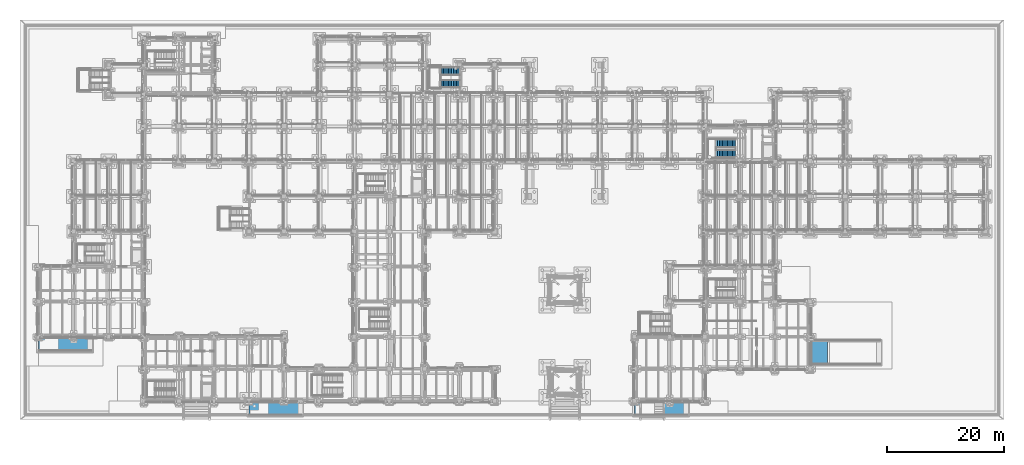
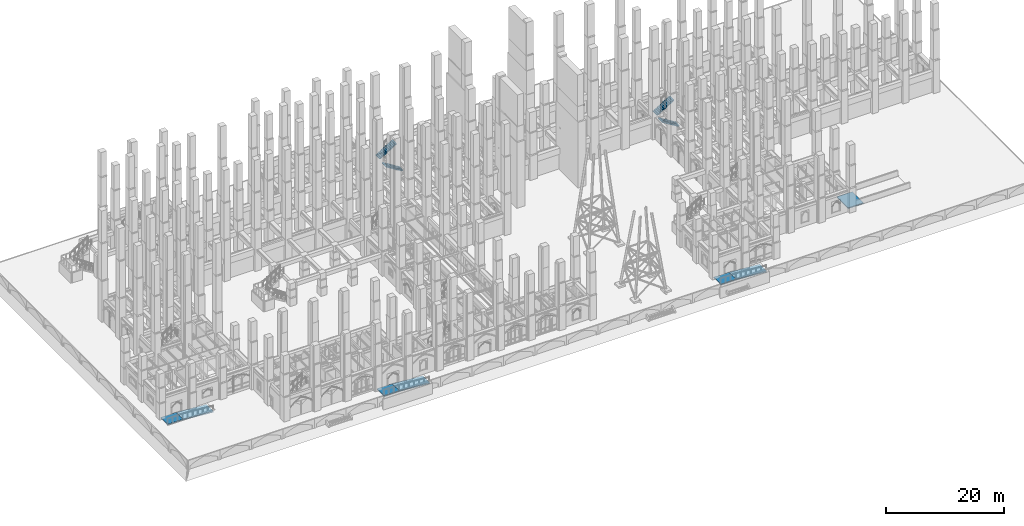
# One storey, part 70 of 135: 7 ramp flights, 4 stair flights, 6 elements without a shape of their own.
"""IFC4 building model written with IfcOpenShell, lengths in metres."""

from ifc_helpers import new_model, si_unit, direction, frame, origin, origin_2d, place, context, subcontext, project, spatial, polyline, rectangle, outline, extrude, material, type_object, element, aggregate, save


model = new_model("IFC4")

# Units and contexts
model_context = context("Model", 3, precision=1e-05, world=origin(), true_north=direction((0.0, 1.0)))
body_context = subcontext(model_context, "Body", "Model", "MODEL_VIEW")
ifc_project = project(units=[si_unit("LENGTHUNIT", "METRE"), si_unit("AREAUNIT", "SQUARE_METRE"), si_unit("VOLUMEUNIT", "CUBIC_METRE"), si_unit("PLANEANGLEUNIT", "RADIAN"), si_unit("MASSUNIT", "GRAM", prefix="KILO")], contexts=[model_context])

# Site, building, storey
site_placement = place(None, origin())
site = spatial("IfcSite", under=ifc_project, at=site_placement, CompositionType="ELEMENT")
building_placement = place(site_placement, origin())
building = spatial("IfcBuilding", under=site, at=building_placement, Name="Cumevento Cable Car Station", CompositionType="ELEMENT")
storey_placement = place(building_placement, origin())
storey = spatial("IfcBuildingStorey", under=building, at=storey_placement, Name="L01", CompositionType="ELEMENT", Elevation=0.0)

# Stair, stair flights
ifc_material_1 = material(Name="Concrete C40/50", Category="concrete")
stair_type_1 = type_object("IfcStairType", Name="Half-Turn Stair ST-T04 1350", PredefinedType="HALF_TURN_STAIR", material=ifc_material_1)
stair_1_placement = place(storey_placement, origin())
stair_1 = element("IfcStair", 1, at=stair_1_placement, inside=storey, type_object=stair_type_1, Name="NE Hillside Station Plinth Stone Stair L01-L02", PredefinedType="HALF_TURN_STAIR")
ifc_material_2 = material(Name="Concrete C40/50", Category="concrete")
stair_flight_type_1 = type_object("IfcStairFlightType", Name="Stair Flight STF-T04 1350", PredefinedType="STRAIGHT", material=ifc_material_2)
stair_flight_1_placement = place(storey_placement, frame((76.080078125, 58.264892578125, 0.0), z_axis=(0.0, 0.0, 1.0), x_axis=(-1.0, 0.0, 0.0)))
stair_flight_1 = element("IfcStairFlight", 2, at=stair_flight_1_placement, type_object=stair_flight_type_1, Name="ST-17 Flight 1", NumberOfRisers=13, NumberOfTreads=12, PredefinedType="STRAIGHT", RiserHeight=0.173076923, TreadLength=0.28, context=body_context, shape_type="SweptSolid", body=[
    extrude(outline(polyline([(0.0, 0.0), (0.0, 0.173095703125), (0.280029296875, 0.173095703125), (0.280029296875, 0.34619140625), (0.56005859375, 0.34619140625), (0.56005859375, 0.519287109375), (0.840087890625, 0.519287109375), (0.840087890625, 0.6923828125), (1.1201171875, 0.6923828125), (1.1201171875, 0.865478515625), (1.39990234375, 0.865478515625), (1.39990234375, 1.03857421875), (1.679931640625, 1.03857421875), (1.679931640625, 1.21142578125), (1.9599609375, 1.21142578125), (1.9599609375, 1.384521484375), (2.239990234375, 1.384521484375), (2.239990234375, 1.5576171875), (2.52001953125, 1.5576171875), (2.52001953125, 1.730712890625), (2.800048828125, 1.730712890625), (2.800048828125, 1.90380859375), (3.080078125, 1.90380859375), (3.080078125, 2.076904296875), (3.360107421875, 2.076904296875), (3.360107421875, 2.25), (3.360107421875, 1.888916015625), (0.30419921875, 0.0), (0.0, 0.0)])), frame((0.0, 0.675048828125, 0.0), z_axis=(0.0, -1.0, 0.0), x_axis=(1.0, 0.0, 0.0)), (0.0, 0.0, 1.0), 1.35009765625),
])
stair_flight_2_placement = place(storey_placement, frame((72.719970703125, 60.43505859375, 2.25), z_axis=(0.0, 0.0, 1.0), x_axis=(1.0, 0.0, 0.0)))
stair_flight_2 = element("IfcStairFlight", 3, at=stair_flight_2_placement, type_object=stair_flight_type_1, Name="ST-17 Flight 2", NumberOfRisers=13, NumberOfTreads=12, PredefinedType="STRAIGHT", RiserHeight=0.173076923, TreadLength=0.28, context=body_context, shape_type="SweptSolid", body=[
    extrude(outline(polyline([(0.0, 0.0), (0.0, 0.173095703125), (0.280029296875, 0.173095703125), (0.280029296875, 0.34619140625), (0.56005859375, 0.34619140625), (0.56005859375, 0.519287109375), (0.840087890625, 0.519287109375), (0.840087890625, 0.6923828125), (1.1201171875, 0.6923828125), (1.1201171875, 0.865478515625), (1.39990234375, 0.865478515625), (1.39990234375, 1.03857421875), (1.679931640625, 1.03857421875), (1.679931640625, 1.21142578125), (1.9599609375, 1.21142578125), (1.9599609375, 1.384521484375), (2.239990234375, 1.384521484375), (2.239990234375, 1.5576171875), (2.52001953125, 1.5576171875), (2.52001953125, 1.730712890625), (2.800048828125, 1.730712890625), (2.800048828125, 1.90380859375), (3.080078125, 1.90380859375), (3.080078125, 2.076904296875), (3.360107421875, 2.076904296875), (3.360107421875, 2.25), (3.360107421875, 1.888916015625), (0.30419921875, 0.0), (0.0, 0.0)])), frame((0.0, 0.675048828125, 0.0), z_axis=(0.0, -1.0, 0.0), x_axis=(1.0, 0.0, 0.0)), (0.0, 0.0, 1.0), 1.35009765625),
])
aggregate(stair_1, [stair_flight_1, stair_flight_2])

ifc_material_3 = material(Name="Concrete C40/50", Category="concrete")
stair_type_2 = type_object("IfcStairType", Name="Half-Turn Stair ST-T06 1410", PredefinedType="HALF_TURN_STAIR", material=ifc_material_3)
stair_2_placement = place(storey_placement, origin())
stair_2 = element("IfcStair", 4, at=stair_2_placement, inside=storey, type_object=stair_type_2, Name="Enclosed Exit Stair ST-06 (L01 to L02)", PredefinedType="HALF_TURN_STAIR")
ifc_material_4 = material(Name="Concrete C40/50", Category="concrete")
stair_flight_type_2 = type_object("IfcStairFlightType", Name="Stair Flight STF-T06 1410", PredefinedType="STRAIGHT", material=ifc_material_4)
stair_flight_3_placement = place(storey_placement, frame((123.280029296875, 46.264892578125, 0.0), z_axis=(0.0, 0.0, 1.0), x_axis=(-1.0, 0.0, 0.0)))
stair_flight_3 = element("IfcStairFlight", 5, at=stair_flight_3_placement, type_object=stair_flight_type_2, Name="ST-06-L01 Flight 1", NumberOfRisers=13, NumberOfTreads=12, PredefinedType="STRAIGHT", RiserHeight=0.173076923, TreadLength=0.28, context=body_context, shape_type="SweptSolid", body=[
    extrude(outline(polyline([(0.0, 0.0), (0.0, 0.173095703125), (0.280029296875, 0.173095703125), (0.280029296875, 0.34619140625), (0.56005859375, 0.34619140625), (0.56005859375, 0.519287109375), (0.840087890625, 0.519287109375), (0.840087890625, 0.6923828125), (1.1201171875, 0.6923828125), (1.1201171875, 0.865478515625), (1.39990234375, 0.865478515625), (1.39990234375, 1.03857421875), (1.679931640625, 1.03857421875), (1.679931640625, 1.21142578125), (1.9599609375, 1.21142578125), (1.9599609375, 1.384521484375), (2.239990234375, 1.384521484375), (2.239990234375, 1.5576171875), (2.52001953125, 1.5576171875), (2.52001953125, 1.730712890625), (2.800048828125, 1.730712890625), (2.800048828125, 1.90380859375), (3.080078125, 1.90380859375), (3.080078125, 2.076904296875), (3.360107421875, 2.076904296875), (3.360107421875, 2.25), (3.360107421875, 1.888916015625), (0.30419921875, 0.0), (0.0, 0.0)])), frame((0.0, 0.705078125, 0.0), z_axis=(0.0, -1.0, 0.0), x_axis=(1.0, 0.0, 0.0)), (0.0, 0.0, 1.0), 1.409912109375),
])
stair_flight_4_placement = place(storey_placement, frame((119.919921875, 48.10498046875, 2.25), z_axis=(0.0, 0.0, 1.0), x_axis=(1.0, 0.0, 0.0)))
stair_flight_4 = element("IfcStairFlight", 6, at=stair_flight_4_placement, type_object=stair_flight_type_2, Name="ST-06-L01 Flight 2", NumberOfRisers=13, NumberOfTreads=12, PredefinedType="STRAIGHT", RiserHeight=0.173076923, TreadLength=0.28, context=body_context, shape_type="SweptSolid", body=[
    extrude(outline(polyline([(0.0, 0.0), (0.0, 0.173095703125), (0.280029296875, 0.173095703125), (0.280029296875, 0.34619140625), (0.56005859375, 0.34619140625), (0.56005859375, 0.519287109375), (0.840087890625, 0.519287109375), (0.840087890625, 0.6923828125), (1.1201171875, 0.6923828125), (1.1201171875, 0.865478515625), (1.39990234375, 0.865478515625), (1.39990234375, 1.03857421875), (1.679931640625, 1.03857421875), (1.679931640625, 1.21142578125), (1.9599609375, 1.21142578125), (1.9599609375, 1.384521484375), (2.239990234375, 1.384521484375), (2.239990234375, 1.5576171875), (2.52001953125, 1.5576171875), (2.52001953125, 1.730712890625), (2.800048828125, 1.730712890625), (2.800048828125, 1.90380859375), (3.080078125, 1.90380859375), (3.080078125, 2.076904296875), (3.360107421875, 2.076904296875), (3.360107421875, 2.25), (3.360107421875, 1.888916015625), (0.30419921875, 0.0), (0.0, 0.0)])), frame((0.0, 0.705078125, 0.0), z_axis=(0.0, -1.0, 0.0), x_axis=(1.0, 0.0, 0.0)), (0.0, 0.0, 1.0), 1.409912109375),
])
aggregate(stair_2, [stair_flight_3, stair_flight_4])

# Ramp, ramp flight
ifc_material_5 = material(Name="Concrete C40/50", Category="concrete")
ramp_type = type_object("IfcRampType", Name="Concrete Ramp RP-TYP", PredefinedType="STRAIGHT_RUN_RAMP", material=ifc_material_5)
ramp_1_placement = place(storey_placement, origin())
ramp_1 = element("IfcRamp", 7, at=ramp_1_placement, inside=storey, type_object=ramp_type, Name="Vehicle Service Ramp RP-01", PredefinedType="STRAIGHT_RUN_RAMP")
ifc_material_6 = material(Name="Concrete C40/50", Category="concrete")
ramp_flight_type = type_object("IfcRampFlightType", Name="Concrete Ramp Flight RPF-TYP", PredefinedType="STRAIGHT", material=ifc_material_6)
ramp_flight_1_placement = place(storey_placement, frame((137.5, 12.25, -0.219970703125), z_axis=(0.0, 0.0, 1.0), x_axis=(1.0, 0.0, 0.0)))
ramp_flight_1 = element("IfcRampFlight", 8, at=ramp_flight_1_placement, type_object=ramp_flight_type, Name="Vehicle Service Ramp RP-01 Top Landing", PredefinedType="STRAIGHT", context=body_context, shape_type="SweptSolid", body=[
    extrude(rectangle(XDim=3.0, YDim=3.8, at=origin_2d()), origin(), (0.0, 0.0, 1.0), 0.219970703125),
])
aggregate(ramp_1, [ramp_flight_1])

# Ramp, ramp flights
ramp_2_placement = place(storey_placement, origin())
ramp_2 = element("IfcRamp", 9, at=ramp_2_placement, inside=storey, type_object=ramp_type, Name="South Forecourt Accessible Entry Ramp RP-02", PredefinedType="STRAIGHT_RUN_RAMP")
ramp_flight_2_placement = place(storey_placement, frame((42.919921875, 2.800048828125, 0.0), z_axis=(0.0, 0.0, 1.0), x_axis=(1.0, 0.0, 0.0)))
ramp_flight_2 = element("IfcRampFlight", 10, at=ramp_flight_2_placement, type_object=ramp_flight_type, Name="South Forecourt Accessible Entry Ramp RP-02 Sloped Flight", PredefinedType="STRAIGHT", context=body_context, shape_type="SweptSolid", body=[
    extrude(outline(polyline([(0.0, 0.0), (6.080078125, -0.449951171875), (6.080078125, -0.669921875), (0.0, -0.219970703125), (0.0, 0.0)])), frame((0.0, 1.199951171875, 0.0), z_axis=(0.0, -1.0, 0.0), x_axis=(1.0, 0.0, 0.0)), (0.0, 0.0, 1.0), 2.39990234375),
])
ramp_flight_3_placement = place(storey_placement, frame((41.5, 2.800048828125, -0.219970703125), z_axis=(0.0, 0.0, 1.0), x_axis=(1.0, 0.0, 0.0)))
ramp_flight_3 = element("IfcRampFlight", 11, at=ramp_flight_3_placement, type_object=ramp_flight_type, Name="South Forecourt Accessible Entry Ramp RP-02 Top Landing", PredefinedType="STRAIGHT", context=body_context, shape_type="SweptSolid", body=[
    extrude(rectangle(XDim=3.0, YDim=2.4, at=origin_2d()), origin(), (0.0, 0.0, 1.0), 0.219970703125),
])
aggregate(ramp_2, [ramp_flight_2, ramp_flight_3])

ramp_3_placement = place(storey_placement, origin())
ramp_3 = element("IfcRamp", 12, at=ramp_3_placement, inside=storey, type_object=ramp_type, Name="East Arcade Accessible Entry Ramp RP-03", PredefinedType="STRAIGHT_RUN_RAMP")
ramp_flight_4_placement = place(storey_placement, frame((108.919921875, 2.800048828125, 0.0), z_axis=(0.0, 0.0, 1.0), x_axis=(1.0, 0.0, 0.0)))
ramp_flight_4 = element("IfcRampFlight", 13, at=ramp_flight_4_placement, type_object=ramp_flight_type, Name="East Arcade Accessible Entry Ramp RP-03 Sloped Flight", PredefinedType="STRAIGHT", context=body_context, shape_type="SweptSolid", body=[
    extrude(outline(polyline([(0.0, 0.0), (6.080078125, -0.449951171875), (6.080078125, -0.669921875), (0.0, -0.219970703125), (0.0, 0.0)])), frame((0.0, 1.199951171875, 0.0), z_axis=(0.0, -1.0, 0.0), x_axis=(1.0, 0.0, 0.0)), (0.0, 0.0, 1.0), 2.39990234375),
])
ramp_flight_5_placement = place(storey_placement, frame((107.5, 2.800048828125, -0.219970703125), z_axis=(0.0, 0.0, 1.0), x_axis=(1.0, 0.0, 0.0)))
ramp_flight_5 = element("IfcRampFlight", 14, at=ramp_flight_5_placement, type_object=ramp_flight_type, Name="East Arcade Accessible Entry Ramp RP-03 Top Landing", PredefinedType="STRAIGHT", context=body_context, shape_type="SweptSolid", body=[
    extrude(rectangle(XDim=3.0, YDim=2.4, at=origin_2d()), origin(), (0.0, 0.0, 1.0), 0.219970703125),
])
aggregate(ramp_3, [ramp_flight_4, ramp_flight_5])

ramp_4_placement = place(storey_placement, origin())
ramp_4 = element("IfcRamp", 15, at=ramp_4_placement, inside=storey, type_object=ramp_type, Name="West Rescue Post Accessible Ramp RP-04", PredefinedType="STRAIGHT_RUN_RAMP")
ramp_flight_6_placement = place(storey_placement, frame((6.919921875, 13.800048828125, 0.0), z_axis=(0.0, 0.0, 1.0), x_axis=(1.0, 0.0, 0.0)))
ramp_flight_6 = element("IfcRampFlight", 16, at=ramp_flight_6_placement, type_object=ramp_flight_type, Name="West Rescue Post Accessible Ramp RP-04 Sloped Flight", PredefinedType="STRAIGHT", context=body_context, shape_type="SweptSolid", body=[
    extrude(outline(polyline([(0.0, 0.0), (6.080078125, -0.449951171875), (6.080078125, -0.669921875), (0.0, -0.219970703125), (0.0, 0.0)])), frame((0.0, 1.199951171875, 0.0), z_axis=(0.0, -1.0, 0.0), x_axis=(1.0, 0.0, 0.0)), (0.0, 0.0, 1.0), 2.39990234375),
])
ramp_flight_7_placement = place(storey_placement, frame((5.5, 13.800048828125, -0.219970703125), z_axis=(0.0, 0.0, 1.0), x_axis=(1.0, 0.0, 0.0)))
ramp_flight_7 = element("IfcRampFlight", 17, at=ramp_flight_7_placement, type_object=ramp_flight_type, Name="West Rescue Post Accessible Ramp RP-04 Top Landing", PredefinedType="STRAIGHT", context=body_context, shape_type="SweptSolid", body=[
    extrude(rectangle(XDim=3.0, YDim=2.4, at=origin_2d()), origin(), (0.0, 0.0, 1.0), 0.219970703125),
])
aggregate(ramp_4, [ramp_flight_6, ramp_flight_7])

save(model, "model.ifc")
